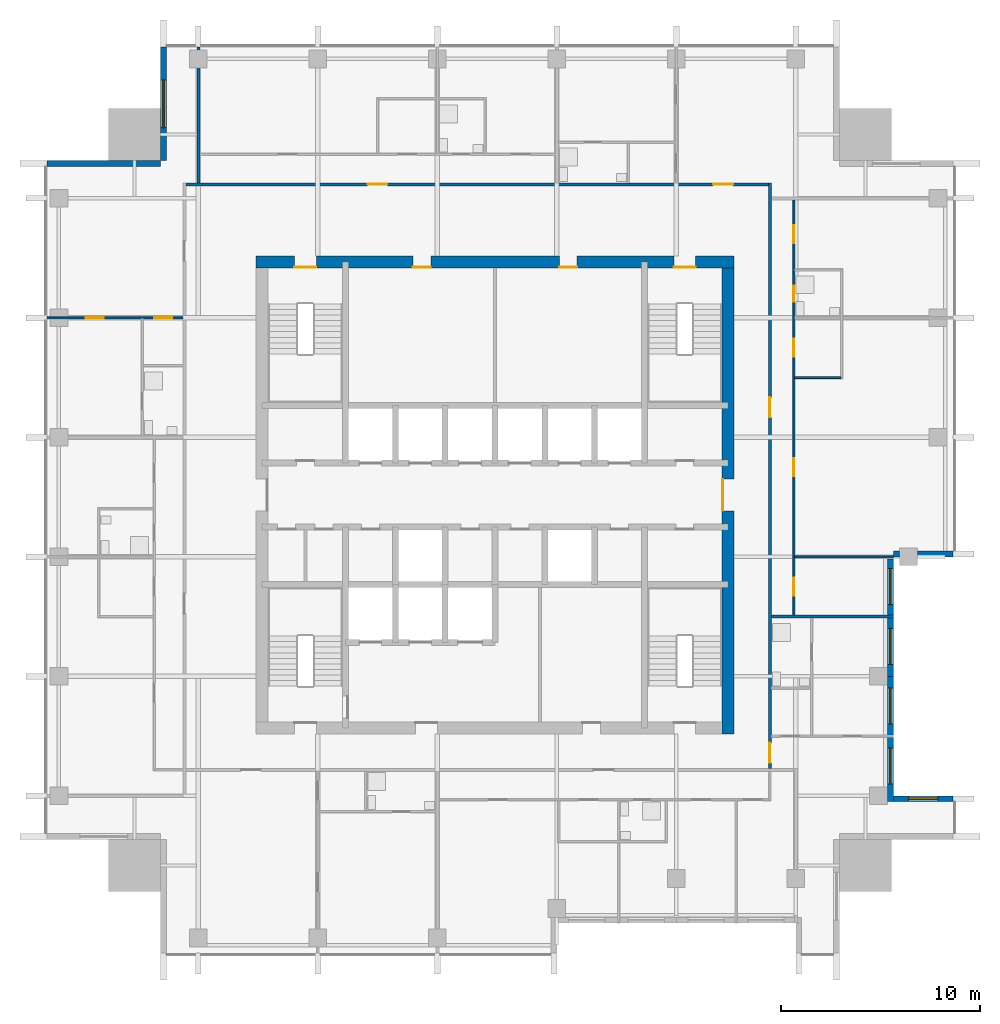
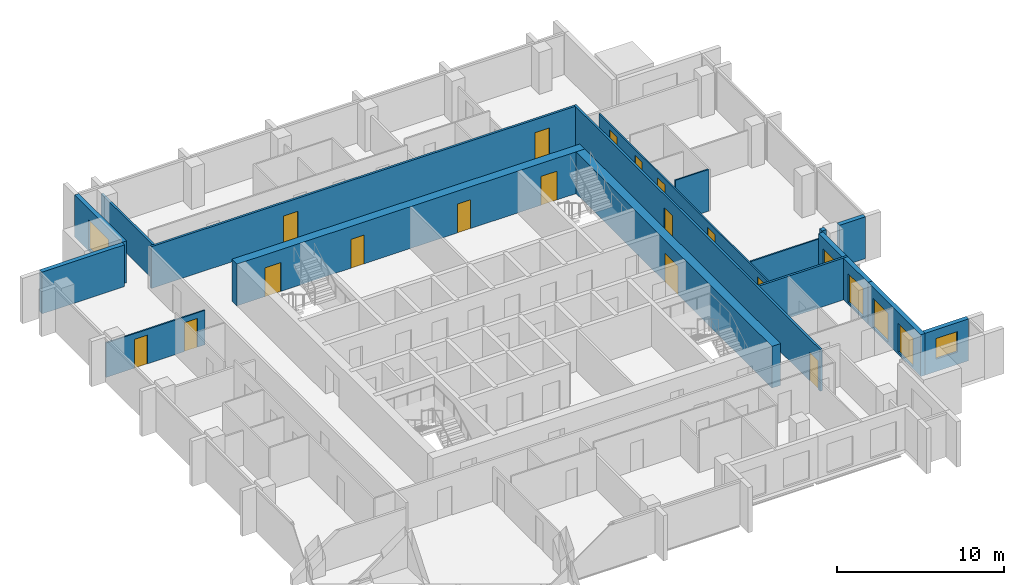
# One storey, part 6 of 9: 17 walls, 16 doors, 6 windows, 22 openings.
"""IFC4 building model written with IfcOpenShell, lengths in metres."""

from ifc_helpers import new_model, si_unit, direction, frame, frame_2d, origin, place, context, subcontext, project, spatial, rectangle, extrude, material, layer, layer_set, type_object, element, fill, save


model = new_model("IFC4")

# Units and contexts
model_context = context("Model", 3, precision=1e-05, world=origin(), true_north=direction((0.0, 1.0)))
body_context = subcontext(model_context, "Body", "Model", "MODEL_VIEW")
ifc_project = project(units=[si_unit("LENGTHUNIT", "METRE"), si_unit("AREAUNIT", "SQUARE_METRE"), si_unit("VOLUMEUNIT", "CUBIC_METRE"), si_unit("PLANEANGLEUNIT", "RADIAN"), si_unit("MASSUNIT", "GRAM", prefix="KILO")], contexts=[model_context])

# Site, building, storey
site_placement = place(None, origin())
site = spatial("IfcSite", under=ifc_project, at=site_placement, CompositionType="ELEMENT")
building_placement = place(site_placement, origin())
building = spatial("IfcBuilding", under=site, at=building_placement, Name="Amberfall Residences", CompositionType="ELEMENT")
storey_placement = place(building_placement, frame((0.0, 0.0, 210.10009765625)))
storey = spatial("IfcBuildingStorey", under=building, at=storey_placement, Name="L56", CompositionType="ELEMENT", Elevation=210.10009765625)

# Wall, opening, window
ifc_material_1 = material(Name="Pale stone cladding on insulated backing", Category="masonry")
ifc_layer_1 = layer(ifc_material_1, 0.300048828125)
ifc_layer_set_1 = layer_set([ifc_layer_1], Name="Bronze clad wall 300")
wall_type_1 = type_object("IfcWallType", Name="Bronze clad wall 300", PredefinedType="SOLIDWALL", material=ifc_layer_set_1)
wall_1_placement = place(storey_placement, frame((97.5, 30.25, 0.0), z_axis=(0.0, 0.0, 1.0), x_axis=(-1.0, 0.0, 0.0)))
wall_1 = element("IfcWall", 1, at=wall_1_placement, inside=storey, type_object=wall_type_1, Name="External wall L56 E", PredefinedType="SOLIDWALL", context=body_context, shape_type="SweptSolid", body=[
    extrude(rectangle(XDim=3.0, YDim=0.300048828125, at=frame_2d((1.5, 0.0))), origin(), (0.0, 0.0, 1.0), 3.0498046875),
])
opening_1_placement = place(wall_1_placement, frame((0.75, 0.0, 0.89990234375)))
opening_1 = element("IfcOpeningElement", 2, at=opening_1_placement, cuts=wall_1, Name="Opening WN1", PredefinedType="OPENING", context=body_context, shape_type="SweptSolid", body=[
    extrude(rectangle(XDim=1.5, YDim=1.5, at=frame_2d((0.75, 0.75))), frame((0.0, 0.159912109375, 0.0), z_axis=(0.0, -1.0, 0.0), x_axis=(1.0, 0.0, 0.0)), (0.0, 0.0, 1.0), 0.320068359375),
])
ifc_material_2 = material(Name="Bronze aluminium framed glazing", Category="aluminium")
window_type_1 = type_object("IfcWindowType", Name="Window 1500 x 1500 bronze", PartitioningType="DOUBLE_PANEL_VERTICAL", PredefinedType="WINDOW", material=ifc_material_2)
window_1_placement = place(opening_1_placement, origin())
window_1 = element("IfcWindow", 3, at=window_1_placement, inside=storey, type_object=window_type_1, Name="Window L56 E", OverallHeight=1.5, OverallWidth=1.5, PartitioningType="DOUBLE_PANEL_VERTICAL", PredefinedType="WINDOW", context=body_context, shape_type="SweptSolid", body=[
    extrude(rectangle(XDim=1.5, YDim=1.5, at=frame_2d((0.75, 0.75))), frame((0.0, 0.030029296875, 0.0), z_axis=(0.0, -1.0, 0.0), x_axis=(1.0, 0.0, 0.0)), (0.0, 0.0, 1.0), 0.06005859375),
])
fill(opening_1, window_1)

# Walls
wall_2_placement = place(storey_placement, frame((94.5, 42.550048828125, 0.0), z_axis=(0.0, 0.0, 1.0), x_axis=(1.0, 0.0, 0.0)))
element("IfcWall", 4, at=wall_2_placement, inside=storey, type_object=wall_type_1, Name="External wall L56 E", PredefinedType="SOLIDWALL", context=body_context, shape_type="SweptSolid", body=[
    extrude(rectangle(XDim=0.300048828125, YDim=0.300048828125, at=frame_2d((0.14990234375, 0.0))), origin(), (0.0, 0.0, 1.0), 3.0498046875),
])
wall_3_placement = place(storey_placement, frame((95.699951171875, 42.550048828125, 0.0), z_axis=(0.0, 0.0, 1.0), x_axis=(1.0, 0.0, 0.0)))
element("IfcWall", 5, at=wall_3_placement, inside=storey, type_object=wall_type_1, Name="External wall L56 E", PredefinedType="SOLIDWALL", context=body_context, shape_type="SweptSolid", body=[
    extrude(rectangle(XDim=1.800048828125, YDim=0.300048828125, at=frame_2d((0.89990234375, 0.0))), origin(), (0.0, 0.0, 1.0), 3.0498046875),
])

# Wall, opening, window
wall_4_placement = place(storey_placement, frame((57.85009765625, 68.0, 0.0), z_axis=(0.0, 0.0, 1.0), x_axis=(0.0, -1.0, 0.0)))
wall_4 = element("IfcWall", 6, at=wall_4_placement, inside=storey, type_object=wall_type_1, Name="External wall L56 NW", PredefinedType="SOLIDWALL", context=body_context, shape_type="SweptSolid", body=[
    extrude(rectangle(XDim=5.699951171875, YDim=0.300048828125, at=frame_2d((2.85009765625, 0.0))), origin(), (0.0, 0.0, 1.0), 3.0498046875),
])
opening_2_placement = place(wall_4_placement, frame((1.64990234375, 0.0, 0.14990234375)))
opening_2 = element("IfcOpeningElement", 7, at=opening_2_placement, cuts=wall_4, Name="Opening WN5", PredefinedType="OPENING", context=body_context, shape_type="SweptSolid", body=[
    extrude(rectangle(XDim=2.39990234375, YDim=2.10009765625, at=frame_2d((1.199951171875, 1.050048828125))), frame((0.0, 0.159912109375, 0.0), z_axis=(0.0, -1.0, 0.0), x_axis=(1.0, 0.0, 0.0)), (0.0, 0.0, 1.0), 0.320068359375),
])
window_type_2 = type_object("IfcWindowType", Name="Glazed opening 2400 x 2100 bronze", PartitioningType="DOUBLE_PANEL_VERTICAL", PredefinedType="WINDOW", material=ifc_material_2)
window_2_placement = place(opening_2_placement, origin())
window_2 = element("IfcWindow", 8, at=window_2_placement, inside=storey, type_object=window_type_2, Name="Window L56 NW", OverallHeight=2.10009765625, OverallWidth=2.39990234375, PartitioningType="DOUBLE_PANEL_VERTICAL", PredefinedType="WINDOW", context=body_context, shape_type="SweptSolid", body=[
    extrude(rectangle(XDim=2.39990234375, YDim=2.10009765625, at=frame_2d((1.199951171875, 1.050048828125))), frame((0.0, 0.030029296875, 0.0), z_axis=(0.0, -1.0, 0.0), x_axis=(1.0, 0.0, 0.0)), (0.0, 0.0, 1.0), 0.06005859375),
])
fill(opening_2, window_2)

# Wall
wall_5_placement = place(storey_placement, frame((57.699951171875, 62.14990234375, 0.0), z_axis=(0.0, 0.0, 1.0), x_axis=(-1.0, 0.0, 0.0)))
element("IfcWall", 9, at=wall_5_placement, inside=storey, type_object=wall_type_1, Name="External wall L56 NW", PredefinedType="SOLIDWALL", context=body_context, shape_type="SweptSolid", body=[
    extrude(rectangle(XDim=5.699951171875, YDim=0.300048828125, at=frame_2d((2.85009765625, 0.0))), origin(), (0.0, 0.0, 1.0), 3.0498046875),
])

# Wall, openings, windows
wall_6_placement = place(storey_placement, frame((94.35009765625, 30.10009765625, 0.0), z_axis=(0.0, 0.0, 1.0), x_axis=(0.0, 1.0, 0.0)))
wall_6 = element("IfcWall", 10, at=wall_6_placement, inside=storey, type_object=wall_type_1, Name="Stone wall L56 E", PredefinedType="SOLIDWALL", context=body_context, shape_type="SweptSolid", body=[
    extrude(rectangle(XDim=6.2998046875, YDim=0.300048828125, at=frame_2d((3.14990234375, 0.0))), origin(), (0.0, 0.0, 1.0), 3.0498046875),
])
opening_3_placement = place(wall_6_placement, frame((0.89990234375, 0.0, 0.14990234375)))
opening_3 = element("IfcOpeningElement", 11, at=opening_3_placement, cuts=wall_6, Name="Opening WN6", PredefinedType="OPENING", context=body_context, shape_type="SweptSolid", body=[
    extrude(rectangle(XDim=1.800048828125, YDim=2.10009765625, at=frame_2d((0.89990234375, 1.050048828125))), frame((0.0, 0.159912109375, 0.0), z_axis=(0.0, -1.0, 0.0), x_axis=(1.0, 0.0, 0.0)), (0.0, 0.0, 1.0), 0.320068359375),
])
opening_4_placement = place(wall_6_placement, frame((3.89990234375, 0.0, 0.14990234375)))
opening_4 = element("IfcOpeningElement", 12, at=opening_4_placement, cuts=wall_6, Name="Opening WN6", PredefinedType="OPENING", context=body_context, shape_type="SweptSolid", body=[
    extrude(rectangle(XDim=1.800048828125, YDim=2.10009765625, at=frame_2d((0.89990234375, 1.050048828125))), frame((0.0, 0.159912109375, 0.0), z_axis=(0.0, -1.0, 0.0), x_axis=(1.0, 0.0, 0.0)), (0.0, 0.0, 1.0), 0.320068359375),
])
window_type_3 = type_object("IfcWindowType", Name="Glazed opening 1800 x 2100 bronze", PartitioningType="DOUBLE_PANEL_VERTICAL", PredefinedType="WINDOW", material=ifc_material_2)
window_3_placement = place(opening_3_placement, origin())
window_3 = element("IfcWindow", 13, at=window_3_placement, inside=storey, type_object=window_type_3, Name="Window L56 E", OverallHeight=2.10009765625, OverallWidth=1.800048828125, PartitioningType="DOUBLE_PANEL_VERTICAL", PredefinedType="WINDOW", context=body_context, shape_type="SweptSolid", body=[
    extrude(rectangle(XDim=1.800048828125, YDim=2.10009765625, at=frame_2d((0.89990234375, 1.050048828125))), frame((0.0, 0.030029296875, 0.0), z_axis=(0.0, -1.0, 0.0), x_axis=(1.0, 0.0, 0.0)), (0.0, 0.0, 1.0), 0.06005859375),
])
fill(opening_3, window_3)
window_4_placement = place(opening_4_placement, origin())
window_4 = element("IfcWindow", 14, at=window_4_placement, inside=storey, type_object=window_type_3, Name="Window L56 E", OverallHeight=2.10009765625, OverallWidth=1.800048828125, PartitioningType="DOUBLE_PANEL_VERTICAL", PredefinedType="WINDOW", context=body_context, shape_type="SweptSolid", body=[
    extrude(rectangle(XDim=1.800048828125, YDim=2.10009765625, at=frame_2d((0.89990234375, 1.050048828125))), frame((0.0, 0.030029296875, 0.0), z_axis=(0.0, -1.0, 0.0), x_axis=(1.0, 0.0, 0.0)), (0.0, 0.0, 1.0), 0.06005859375),
])
fill(opening_4, window_4)

wall_7_placement = place(storey_placement, frame((94.35009765625, 36.39990234375, 0.0), z_axis=(0.0, 0.0, 1.0), x_axis=(0.0, 1.0, 0.0)))
wall_7 = element("IfcWall", 15, at=wall_7_placement, inside=storey, type_object=wall_type_1, Name="Stone wall L56 E", PredefinedType="SOLIDWALL", context=body_context, shape_type="SweptSolid", body=[
    extrude(rectangle(XDim=5.900146484375, YDim=0.300048828125, at=frame_2d((2.9501953125, 0.0))), origin(), (0.0, 0.0, 1.0), 3.0498046875),
])
opening_5_placement = place(wall_7_placement, frame((0.60009765625, 0.0, 0.14990234375)))
opening_5 = element("IfcOpeningElement", 16, at=opening_5_placement, cuts=wall_7, Name="Opening WN6", PredefinedType="OPENING", context=body_context, shape_type="SweptSolid", body=[
    extrude(rectangle(XDim=1.800048828125, YDim=2.10009765625, at=frame_2d((0.89990234375, 1.050048828125))), frame((0.0, 0.159912109375, 0.0), z_axis=(0.0, -1.0, 0.0), x_axis=(1.0, 0.0, 0.0)), (0.0, 0.0, 1.0), 0.320068359375),
])
opening_6_placement = place(wall_7_placement, frame((3.60009765625, 0.0, 0.14990234375)))
opening_6 = element("IfcOpeningElement", 17, at=opening_6_placement, cuts=wall_7, Name="Opening WN6", PredefinedType="OPENING", context=body_context, shape_type="SweptSolid", body=[
    extrude(rectangle(XDim=1.800048828125, YDim=2.10009765625, at=frame_2d((0.89990234375, 1.050048828125))), frame((0.0, 0.159912109375, 0.0), z_axis=(0.0, -1.0, 0.0), x_axis=(1.0, 0.0, 0.0)), (0.0, 0.0, 1.0), 0.320068359375),
])
window_5_placement = place(opening_5_placement, origin())
window_5 = element("IfcWindow", 18, at=window_5_placement, inside=storey, type_object=window_type_3, Name="Window L56 E", OverallHeight=2.10009765625, OverallWidth=1.800048828125, PartitioningType="DOUBLE_PANEL_VERTICAL", PredefinedType="WINDOW", context=body_context, shape_type="SweptSolid", body=[
    extrude(rectangle(XDim=1.800048828125, YDim=2.10009765625, at=frame_2d((0.89990234375, 1.050048828125))), frame((0.0, 0.030029296875, 0.0), z_axis=(0.0, -1.0, 0.0), x_axis=(1.0, 0.0, 0.0)), (0.0, 0.0, 1.0), 0.06005859375),
])
fill(opening_5, window_5)
window_6_placement = place(opening_6_placement, origin())
window_6 = element("IfcWindow", 19, at=window_6_placement, inside=storey, type_object=window_type_3, Name="Window L56 E", OverallHeight=2.10009765625, OverallWidth=1.800048828125, PartitioningType="DOUBLE_PANEL_VERTICAL", PredefinedType="WINDOW", context=body_context, shape_type="SweptSolid", body=[
    extrude(rectangle(XDim=1.800048828125, YDim=2.10009765625, at=frame_2d((0.89990234375, 1.050048828125))), frame((0.0, 0.030029296875, 0.0), z_axis=(0.0, -1.0, 0.0), x_axis=(1.0, 0.0, 0.0)), (0.0, 0.0, 1.0), 0.06005859375),
])
fill(opening_6, window_6)

# Wall, openings, doors
ifc_material_3 = material(Name="Concrete C55", Category="concrete")
ifc_layer_2 = layer(ifc_material_3, 0.60009765625)
ifc_layer_set_2 = layer_set([ifc_layer_2], Name="Core wall 600 C55")
wall_type_2 = type_object("IfcWallType", Name="Core wall 600 C55", PredefinedType="SHEAR", material=ifc_layer_set_2)
wall_8_placement = place(storey_placement, frame((62.5, 57.199951171875, 0.0), z_axis=(0.0, 0.0, 1.0), x_axis=(1.0, 0.0, 0.0)))
wall_8 = element("IfcWall", 20, at=wall_8_placement, inside=storey, type_object=wall_type_2, Name="Core wall RW7 L56 ON", PredefinedType="SHEAR", context=body_context, shape_type="SweptSolid", body=[
    extrude(rectangle(XDim=24.0, YDim=0.60009765625, at=frame_2d((12.0, 0.0))), origin(), (0.0, 0.0, 1.0), 3.0498046875),
])
opening_7_placement = place(wall_8_placement, frame((20.97509765625, 0.0, 0.0)))
opening_7 = element("IfcOpeningElement", 21, at=opening_7_placement, cuts=wall_8, Name="Opening SD1", PredefinedType="OPENING", context=body_context, shape_type="SweptSolid", body=[
    extrude(rectangle(XDim=1.10009765625, YDim=2.10009765625, at=frame_2d((0.550048828125, 1.050048828125))), frame((0.0, 0.31005859375, 0.0), z_axis=(0.0, -1.0, 0.0), x_axis=(1.0, 0.0, 0.0)), (0.0, 0.0, 1.0), 0.6201171875),
])
opening_8_placement = place(wall_8_placement, frame((1.925048828125, 0.0, 0.0)))
opening_8 = element("IfcOpeningElement", 22, at=opening_8_placement, cuts=wall_8, Name="Opening SD1", PredefinedType="OPENING", context=body_context, shape_type="SweptSolid", body=[
    extrude(rectangle(XDim=1.10009765625, YDim=2.10009765625, at=frame_2d((0.550048828125, 1.050048828125))), frame((0.0, 0.31005859375, 0.0), z_axis=(0.0, -1.0, 0.0), x_axis=(1.0, 0.0, 0.0)), (0.0, 0.0, 1.0), 0.6201171875),
])
opening_9_placement = place(wall_8_placement, frame((7.875, 0.0, 0.0)))
opening_9 = element("IfcOpeningElement", 23, at=opening_9_placement, cuts=wall_8, Name="Opening RD1", PredefinedType="OPENING", context=body_context, shape_type="SweptSolid", body=[
    extrude(rectangle(XDim=0.89990234375, YDim=2.10009765625, at=frame_2d((0.449951171875, 1.050048828125))), frame((0.0, 0.31005859375, 0.0), z_axis=(0.0, -1.0, 0.0), x_axis=(1.0, 0.0, 0.0)), (0.0, 0.0, 1.0), 0.6201171875),
])
opening_10_placement = place(wall_8_placement, frame((15.22509765625, 0.0, 0.0)))
opening_10 = element("IfcOpeningElement", 24, at=opening_10_placement, cuts=wall_8, Name="Opening RD1", PredefinedType="OPENING", context=body_context, shape_type="SweptSolid", body=[
    extrude(rectangle(XDim=0.89990234375, YDim=2.10009765625, at=frame_2d((0.449951171875, 1.050048828125))), frame((0.0, 0.31005859375, 0.0), z_axis=(0.0, -1.0, 0.0), x_axis=(1.0, 0.0, 0.0)), (0.0, 0.0, 1.0), 0.6201171875),
])
ifc_material_4 = material(Name="Steel fire door set", Category="steel")
door_type_1 = type_object("IfcDoorType", Name="Service room door 900 x 2100", OperationType="SINGLE_SWING_LEFT", PredefinedType="DOOR", material=ifc_material_4)
door_1_placement = place(opening_9_placement, origin())
door_1 = element("IfcDoor", 25, at=door_1_placement, inside=storey, type_object=door_type_1, Name="RD1 L56", OperationType="SINGLE_SWING_RIGHT", OverallHeight=2.10009765625, OverallWidth=0.89990234375, PredefinedType="DOOR", context=body_context, shape_type="SweptSolid", body=[
    extrude(rectangle(XDim=0.89990234375, YDim=2.10009765625, at=frame_2d((0.449951171875, 1.050048828125))), frame((0.0, -0.2373046875, 0.0), z_axis=(0.0, -1.0, 0.0), x_axis=(1.0, 0.0, 0.0)), (0.0, 0.0, 1.0), 0.050048828125),
])
fill(opening_9, door_1)
door_2_placement = place(opening_10_placement, origin())
door_2 = element("IfcDoor", 26, at=door_2_placement, inside=storey, type_object=door_type_1, Name="RD1 L56", OperationType="SINGLE_SWING_RIGHT", OverallHeight=2.10009765625, OverallWidth=0.89990234375, PredefinedType="DOOR", context=body_context, shape_type="SweptSolid", body=[
    extrude(rectangle(XDim=0.89990234375, YDim=2.10009765625, at=frame_2d((0.449951171875, 1.050048828125))), frame((0.0, -0.2373046875, 0.0), z_axis=(0.0, -1.0, 0.0), x_axis=(1.0, 0.0, 0.0)), (0.0, 0.0, 1.0), 0.050048828125),
])
fill(opening_10, door_2)
door_type_2 = type_object("IfcDoorType", Name="Stair door 1100 x 2100", OperationType="SINGLE_SWING_LEFT", PredefinedType="DOOR", material=ifc_material_4)
door_3_placement = place(opening_7_placement, origin())
door_3 = element("IfcDoor", 27, at=door_3_placement, inside=storey, type_object=door_type_2, Name="SD1 L56", OperationType="SINGLE_SWING_RIGHT", OverallHeight=2.10009765625, OverallWidth=1.10009765625, PredefinedType="DOOR", context=body_context, shape_type="SweptSolid", body=[
    extrude(rectangle(XDim=1.10009765625, YDim=2.10009765625, at=frame_2d((0.550048828125, 1.050048828125))), frame((0.0, -0.2373046875, 0.0), z_axis=(0.0, -1.0, 0.0), x_axis=(1.0, 0.0, 0.0)), (0.0, 0.0, 1.0), 0.050048828125),
])
fill(opening_7, door_3)
door_4_placement = place(opening_8_placement, origin())
door_4 = element("IfcDoor", 28, at=door_4_placement, inside=storey, type_object=door_type_2, Name="SD1 L56", OperationType="SINGLE_SWING_LEFT", OverallHeight=2.10009765625, OverallWidth=1.10009765625, PredefinedType="DOOR", context=body_context, shape_type="SweptSolid", body=[
    extrude(rectangle(XDim=1.10009765625, YDim=2.10009765625, at=frame_2d((0.550048828125, 1.050048828125))), frame((0.0, -0.2373046875, 0.0), z_axis=(0.0, -1.0, 0.0), x_axis=(1.0, 0.0, 0.0)), (0.0, 0.0, 1.0), 0.050048828125),
])
fill(opening_8, door_4)

# Wall, opening, door
wall_9_placement = place(storey_placement, frame((86.199951171875, 33.5, 0.0), z_axis=(0.0, 0.0, 1.0), x_axis=(0.0, 1.0, 0.0)))
wall_9 = element("IfcWall", 29, at=wall_9_placement, inside=storey, type_object=wall_type_2, Name="Core wall RW7 L56 OE", PredefinedType="SHEAR", context=body_context, shape_type="SweptSolid", body=[
    extrude(rectangle(XDim=24.0, YDim=0.60009765625, at=frame_2d((12.0, 0.0))), origin(), (0.0, 0.0, 1.0), 3.0498046875),
])
opening_11_placement = place(wall_9_placement, frame((11.199951171875, 0.0, 0.0)))
opening_11 = element("IfcOpeningElement", 30, at=opening_11_placement, cuts=wall_9, Name="Opening LB1", PredefinedType="OPENING", context=body_context, shape_type="SweptSolid", body=[
    extrude(rectangle(XDim=1.60009765625, YDim=2.10009765625, at=frame_2d((0.800048828125, 1.050048828125))), frame((0.0, 0.31005859375, 0.0), z_axis=(0.0, -1.0, 0.0), x_axis=(1.0, 0.0, 0.0)), (0.0, 0.0, 1.0), 0.6201171875),
])
door_type_3 = type_object("IfcDoorType", Name="Lift lobby double door 1600 x 2100", OperationType="DOUBLE_DOOR_SINGLE_SWING", PredefinedType="DOOR", material=ifc_material_4)
door_5_placement = place(opening_11_placement, origin())
door_5 = element("IfcDoor", 31, at=door_5_placement, inside=storey, type_object=door_type_3, Name="LB1 L56", OperationType="DOUBLE_DOOR_SINGLE_SWING", OverallHeight=2.10009765625, OverallWidth=1.60009765625, PredefinedType="DOOR", context=body_context, shape_type="SweptSolid", body=[
    extrude(rectangle(XDim=1.60009765625, YDim=2.10009765625, at=frame_2d((0.800048828125, 1.050048828125))), frame((0.0, 0.28759765625, 0.0), z_axis=(0.0, -1.0, 0.0), x_axis=(1.0, 0.0, 0.0)), (0.0, 0.0, 1.0), 0.050048828125),
])
fill(opening_11, door_5)

# Wall, openings, doors
ifc_material_5 = material(Name="Gypsum board on metal stud")
ifc_layer_3 = layer(ifc_material_5, 0.10009765625)
ifc_layer_set_3 = layer_set([ifc_layer_3], Name="Flat partition 100")
wall_type_3 = type_object("IfcWallType", Name="Flat partition 100", PredefinedType="PARTITIONING", material=ifc_layer_set_3)
wall_10_placement = place(storey_placement, frame((89.5, 60.324951171875, 0.0), z_axis=(0.0, 0.0, 1.0), x_axis=(0.0, -1.0, 0.0)))
wall_10 = element("IfcWall", 32, at=wall_10_placement, inside=storey, type_object=wall_type_3, Name="Partition 016", PredefinedType="PARTITIONING", context=body_context, shape_type="SweptSolid", body=[
    extrude(rectangle(XDim=20.849853515625, YDim=0.10009765625, at=frame_2d((10.4248046875, 0.0))), origin(), (0.0, 0.0, 1.0), 2.510009765625),
])
opening_12_placement = place(wall_10_placement, frame((12.97509765625, 0.0, 0.0)))
opening_12 = element("IfcOpeningElement", 33, at=opening_12_placement, cuts=wall_10, Name="Opening D41", PredefinedType="OPENING", context=body_context, shape_type="SweptSolid", body=[
    extrude(rectangle(XDim=0.89990234375, YDim=2.10009765625, at=frame_2d((0.449951171875, 1.050048828125))), frame((0.0, 0.06005859375, 0.0), z_axis=(0.0, -1.0, 0.0), x_axis=(1.0, 0.0, 0.0)), (0.0, 0.0, 1.0), 0.1201171875),
])
opening_13_placement = place(wall_10_placement, frame((6.97509765625, 0.0, 0.0)))
opening_13 = element("IfcOpeningElement", 34, at=opening_13_placement, cuts=wall_10, Name="Opening D41", PredefinedType="OPENING", context=body_context, shape_type="SweptSolid", body=[
    extrude(rectangle(XDim=0.89990234375, YDim=2.10009765625, at=frame_2d((0.449951171875, 1.050048828125))), frame((0.0, 0.06005859375, 0.0), z_axis=(0.0, -1.0, 0.0), x_axis=(1.0, 0.0, 0.0)), (0.0, 0.0, 1.0), 0.1201171875),
])
opening_14_placement = place(wall_10_placement, frame((18.97509765625, 0.0, 0.0)))
opening_14 = element("IfcOpeningElement", 35, at=opening_14_placement, cuts=wall_10, Name="Opening D41", PredefinedType="OPENING", context=body_context, shape_type="SweptSolid", body=[
    extrude(rectangle(XDim=0.89990234375, YDim=2.10009765625, at=frame_2d((0.449951171875, 1.050048828125))), frame((0.0, 0.06005859375, 0.0), z_axis=(0.0, -1.0, 0.0), x_axis=(1.0, 0.0, 0.0)), (0.0, 0.0, 1.0), 0.1201171875),
])
opening_15_placement = place(wall_10_placement, frame((1.27490234375, 0.0, 0.0)))
opening_15 = element("IfcOpeningElement", 36, at=opening_15_placement, cuts=wall_10, Name="Opening D41", PredefinedType="OPENING", context=body_context, shape_type="SweptSolid", body=[
    extrude(rectangle(XDim=0.89990234375, YDim=2.10009765625, at=frame_2d((0.449951171875, 1.050048828125))), frame((0.0, 0.06005859375, 0.0), z_axis=(0.0, -1.0, 0.0), x_axis=(1.0, 0.0, 0.0)), (0.0, 0.0, 1.0), 0.1201171875),
])
opening_16_placement = place(wall_10_placement, frame((4.324951171875, 0.0, 0.0)))
opening_16 = element("IfcOpeningElement", 37, at=opening_16_placement, cuts=wall_10, Name="Opening D42", PredefinedType="OPENING", context=body_context, shape_type="SweptSolid", body=[
    extrude(rectangle(XDim=0.800048828125, YDim=2.10009765625, at=frame_2d((0.39990234375, 1.050048828125))), frame((0.0, 0.06005859375, 0.0), z_axis=(0.0, -1.0, 0.0), x_axis=(1.0, 0.0, 0.0)), (0.0, 0.0, 1.0), 0.1201171875),
])
ifc_material_6 = material(Name="Timber", Category="wood")
door_type_4 = type_object("IfcDoorType", Name="Bathroom door 800 x 2100", OperationType="SINGLE_SWING_LEFT", PredefinedType="DOOR", material=ifc_material_6)
door_6_placement = place(opening_16_placement, origin())
door_6 = element("IfcDoor", 38, at=door_6_placement, inside=storey, type_object=door_type_4, Name="Door 5604 bath1", OperationType="SINGLE_SWING_LEFT", OverallHeight=2.10009765625, OverallWidth=0.800048828125, PredefinedType="DOOR", context=body_context, shape_type="SweptSolid", body=[
    extrude(rectangle(XDim=0.800048828125, YDim=2.10009765625, at=frame_2d((0.39990234375, 1.050048828125))), frame((0.0, 0.02490234375, 0.0), z_axis=(0.0, -1.0, 0.0), x_axis=(1.0, 0.0, 0.0)), (0.0, 0.0, 1.0), 0.050048828125),
])
fill(opening_16, door_6)
door_type_5 = type_object("IfcDoorType", Name="Internal door 900 x 2100", OperationType="SINGLE_SWING_LEFT", PredefinedType="DOOR", material=ifc_material_6)
door_7_placement = place(opening_12_placement, origin())
door_7 = element("IfcDoor", 39, at=door_7_placement, inside=storey, type_object=door_type_5, Name="Door 5604 living", OperationType="SINGLE_SWING_LEFT", OverallHeight=2.10009765625, OverallWidth=0.89990234375, PredefinedType="DOOR", context=body_context, shape_type="SweptSolid", body=[
    extrude(rectangle(XDim=0.89990234375, YDim=2.10009765625, at=frame_2d((0.449951171875, 1.050048828125))), frame((0.0, 0.02490234375, 0.0), z_axis=(0.0, -1.0, 0.0), x_axis=(1.0, 0.0, 0.0)), (0.0, 0.0, 1.0), 0.050048828125),
])
fill(opening_12, door_7)
door_8_placement = place(opening_13_placement, origin())
door_8 = element("IfcDoor", 40, at=door_8_placement, inside=storey, type_object=door_type_5, Name="Door 5604 kitchen", OperationType="SINGLE_SWING_LEFT", OverallHeight=2.10009765625, OverallWidth=0.89990234375, PredefinedType="DOOR", context=body_context, shape_type="SweptSolid", body=[
    extrude(rectangle(XDim=0.89990234375, YDim=2.10009765625, at=frame_2d((0.449951171875, 1.050048828125))), frame((0.0, 0.02490234375, 0.0), z_axis=(0.0, -1.0, 0.0), x_axis=(1.0, 0.0, 0.0)), (0.0, 0.0, 1.0), 0.050048828125),
])
fill(opening_13, door_8)
door_9_placement = place(opening_14_placement, origin())
door_9 = element("IfcDoor", 41, at=door_9_placement, inside=storey, type_object=door_type_5, Name="Door 5604 bedroom1", OperationType="SINGLE_SWING_LEFT", OverallHeight=2.10009765625, OverallWidth=0.89990234375, PredefinedType="DOOR", context=body_context, shape_type="SweptSolid", body=[
    extrude(rectangle(XDim=0.89990234375, YDim=2.10009765625, at=frame_2d((0.449951171875, 1.050048828125))), frame((0.0, 0.02490234375, 0.0), z_axis=(0.0, -1.0, 0.0), x_axis=(1.0, 0.0, 0.0)), (0.0, 0.0, 1.0), 0.050048828125),
])
fill(opening_14, door_9)
door_10_placement = place(opening_15_placement, origin())
door_10 = element("IfcDoor", 42, at=door_10_placement, inside=storey, type_object=door_type_5, Name="Door 5604 bedroom2", OperationType="SINGLE_SWING_LEFT", OverallHeight=2.10009765625, OverallWidth=0.89990234375, PredefinedType="DOOR", context=body_context, shape_type="SweptSolid", body=[
    extrude(rectangle(XDim=0.89990234375, YDim=2.10009765625, at=frame_2d((0.449951171875, 1.050048828125))), frame((0.0, 0.02490234375, 0.0), z_axis=(0.0, -1.0, 0.0), x_axis=(1.0, 0.0, 0.0)), (0.0, 0.0, 1.0), 0.050048828125),
])
fill(opening_15, door_10)

wall_11_placement = place(storey_placement, frame((58.824951171875, 54.39990234375, 0.0), z_axis=(0.0, 0.0, 1.0), x_axis=(-1.0, 0.0, 0.0)))
wall_11 = element("IfcWall", 43, at=wall_11_placement, inside=storey, type_object=wall_type_3, Name="Partition 023", PredefinedType="PARTITIONING", context=body_context, shape_type="SweptSolid", body=[
    extrude(rectangle(XDim=6.824951171875, YDim=0.10009765625, at=frame_2d((3.41259765625, 0.0))), origin(), (0.0, 0.0, 1.0), 2.515869140625),
])
opening_17_placement = place(wall_11_placement, frame((0.52490234375, 0.0, 0.0)))
opening_17 = element("IfcOpeningElement", 44, at=opening_17_placement, cuts=wall_11, Name="Opening D41", PredefinedType="OPENING", context=body_context, shape_type="SweptSolid", body=[
    extrude(rectangle(XDim=0.89990234375, YDim=2.10009765625, at=frame_2d((0.449951171875, 1.050048828125))), frame((0.0, 0.06005859375, 0.0), z_axis=(0.0, -1.0, 0.0), x_axis=(1.0, 0.0, 0.0)), (0.0, 0.0, 1.0), 0.1201171875),
])
opening_18_placement = place(wall_11_placement, frame((3.97509765625, 0.0, 0.0)))
opening_18 = element("IfcOpeningElement", 45, at=opening_18_placement, cuts=wall_11, Name="Opening D41", PredefinedType="OPENING", context=body_context, shape_type="SweptSolid", body=[
    extrude(rectangle(XDim=0.89990234375, YDim=2.10009765625, at=frame_2d((0.449951171875, 1.050048828125))), frame((0.0, 0.06005859375, 0.0), z_axis=(0.0, -1.0, 0.0), x_axis=(1.0, 0.0, 0.0)), (0.0, 0.0, 1.0), 0.1201171875),
])
door_11_placement = place(opening_17_placement, origin())
door_11 = element("IfcDoor", 46, at=door_11_placement, inside=storey, type_object=door_type_5, Name="Door 5608 kitchen", OperationType="SINGLE_SWING_LEFT", OverallHeight=2.10009765625, OverallWidth=0.89990234375, PredefinedType="DOOR", context=body_context, shape_type="SweptSolid", body=[
    extrude(rectangle(XDim=0.89990234375, YDim=2.10009765625, at=frame_2d((0.449951171875, 1.050048828125))), frame((0.0, 0.02490234375, 0.0), z_axis=(0.0, -1.0, 0.0), x_axis=(1.0, 0.0, 0.0)), (0.0, 0.0, 1.0), 0.050048828125),
])
fill(opening_17, door_11)
door_12_placement = place(opening_18_placement, origin())
door_12 = element("IfcDoor", 47, at=door_12_placement, inside=storey, type_object=door_type_5, Name="Door 5608 bedroom1", OperationType="SINGLE_SWING_LEFT", OverallHeight=2.10009765625, OverallWidth=0.89990234375, PredefinedType="DOOR", context=body_context, shape_type="SweptSolid", body=[
    extrude(rectangle(XDim=0.89990234375, YDim=2.10009765625, at=frame_2d((0.449951171875, 1.050048828125))), frame((0.0, 0.02490234375, 0.0), z_axis=(0.0, -1.0, 0.0), x_axis=(1.0, 0.0, 0.0)), (0.0, 0.0, 1.0), 0.050048828125),
])
fill(opening_18, door_12)

# Walls
wall_12_placement = place(storey_placement, frame((89.550048828125, 51.39990234375, 0.0), z_axis=(0.0, 0.0, 1.0), x_axis=(1.0, 0.0, 0.0)))
element("IfcWall", 48, at=wall_12_placement, inside=storey, type_object=wall_type_3, Name="Partition 026", PredefinedType="PARTITIONING", context=body_context, shape_type="SweptSolid", body=[
    extrude(rectangle(XDim=2.300048828125, YDim=0.10009765625, at=frame_2d((1.14990234375, 0.0))), origin(), (0.0, 0.0, 1.0), 3.0498046875),
])
wall_13_placement = place(storey_placement, frame((89.550048828125, 42.39990234375, 0.0), z_axis=(0.0, 0.0, 1.0), x_axis=(1.0, 0.0, 0.0)))
element("IfcWall", 49, at=wall_13_placement, inside=storey, type_object=wall_type_3, Name="Partition 029", PredefinedType="PARTITIONING", context=body_context, shape_type="SweptSolid", body=[
    extrude(rectangle(XDim=4.949951171875, YDim=0.10009765625, at=frame_2d((2.47509765625, 0.0))), origin(), (0.0, 0.0, 1.0), 2.58984375),
])
ifc_material_7 = material(Name="Blockwork, plastered", Category="masonry")
ifc_layer_4 = layer(ifc_material_7, 0.14990234375)
ifc_layer_set_4 = layer_set([ifc_layer_4], Name="Flat separating wall 150")
wall_type_4 = type_object("IfcWallType", Name="Flat separating wall 150", PredefinedType="PARTITIONING", material=ifc_layer_set_4)
wall_14_placement = place(storey_placement, frame((59.60009765625, 61.175048828125, 0.0), z_axis=(0.0, 0.0, 1.0), x_axis=(0.0, 1.0, 0.0)))
element("IfcWall", 50, at=wall_14_placement, inside=storey, type_object=wall_type_4, Name="Separating wall 038", PredefinedType="PARTITIONING", context=body_context, shape_type="SweptSolid", body=[
    extrude(rectangle(XDim=6.824951171875, YDim=0.14990234375, at=frame_2d((3.41259765625, 0.0))), origin(), (0.0, 0.0, 1.0), 2.510009765625),
])

# Wall, openings, doors
wall_15_placement = place(storey_placement, frame((88.300048828125, 61.175048828125, 0.0), z_axis=(0.0, 0.0, 1.0), x_axis=(0.0, -1.0, 0.0)))
wall_15 = element("IfcWall", 51, at=wall_15_placement, inside=storey, type_object=wall_type_4, Name="Separating wall 041", PredefinedType="PARTITIONING", context=body_context, shape_type="SweptSolid", body=[
    extrude(rectangle(XDim=29.400146484375, YDim=0.14990234375, at=frame_2d((14.7001953125, 0.0))), origin(), (0.0, 0.0, 1.0), 3.0498046875),
])
opening_19_placement = place(wall_15_placement, frame((28.125, 0.0, 0.0)))
opening_19 = element("IfcOpeningElement", 52, at=opening_19_placement, cuts=wall_15, Name="Opening D40", PredefinedType="OPENING", context=body_context, shape_type="SweptSolid", body=[
    extrude(rectangle(XDim=1.0, YDim=2.10009765625, at=frame_2d((0.5, 1.050048828125))), frame((0.0, 0.0849609375, 0.0), z_axis=(0.0, -1.0, 0.0), x_axis=(1.0, 0.0, 0.0)), (0.0, 0.0, 1.0), 0.169921875),
])
opening_20_placement = place(wall_15_placement, frame((10.77490234375, 0.0, 0.0)))
opening_20 = element("IfcOpeningElement", 53, at=opening_20_placement, cuts=wall_15, Name="Opening D40", PredefinedType="OPENING", context=body_context, shape_type="SweptSolid", body=[
    extrude(rectangle(XDim=1.0, YDim=2.10009765625, at=frame_2d((0.5, 1.050048828125))), frame((0.0, 0.0849609375, 0.0), z_axis=(0.0, -1.0, 0.0), x_axis=(1.0, 0.0, 0.0)), (0.0, 0.0, 1.0), 0.169921875),
])
ifc_material_8 = material(Name="Timber, fire-rated", Category="wood")
door_type_6 = type_object("IfcDoorType", Name="Flat entrance door FD60 1000 x 2100", OperationType="SINGLE_SWING_LEFT", PredefinedType="DOOR", material=ifc_material_8)
door_13_placement = place(opening_19_placement, origin())
door_13 = element("IfcDoor", 54, at=door_13_placement, inside=storey, type_object=door_type_6, Name="Door 5603 entrance", OperationType="SINGLE_SWING_LEFT", OverallHeight=2.10009765625, OverallWidth=1.0, PredefinedType="DOOR", context=body_context, shape_type="SweptSolid", body=[
    extrude(rectangle(XDim=1.0, YDim=2.10009765625, at=frame_2d((0.5, 1.050048828125))), frame((0.0, 0.02490234375, 0.0), z_axis=(0.0, -1.0, 0.0), x_axis=(1.0, 0.0, 0.0)), (0.0, 0.0, 1.0), 0.050048828125),
])
fill(opening_19, door_13)
door_14_placement = place(opening_20_placement, origin())
door_14 = element("IfcDoor", 55, at=door_14_placement, inside=storey, type_object=door_type_6, Name="Door 5604 entrance", OperationType="SINGLE_SWING_LEFT", OverallHeight=2.10009765625, OverallWidth=1.0, PredefinedType="DOOR", context=body_context, shape_type="SweptSolid", body=[
    extrude(rectangle(XDim=1.0, YDim=2.10009765625, at=frame_2d((0.5, 1.050048828125))), frame((0.0, 0.02490234375, 0.0), z_axis=(0.0, -1.0, 0.0), x_axis=(1.0, 0.0, 0.0)), (0.0, 0.0, 1.0), 0.050048828125),
])
fill(opening_20, door_14)

wall_16_placement = place(storey_placement, frame((58.97509765625, 61.10009765625, 0.0), z_axis=(0.0, 0.0, 1.0), x_axis=(1.0, 0.0, 0.0)))
wall_16 = element("IfcWall", 56, at=wall_16_placement, inside=storey, type_object=wall_type_4, Name="Separating wall 043", PredefinedType="PARTITIONING", context=body_context, shape_type="SweptSolid", body=[
    extrude(rectangle(XDim=29.25, YDim=0.14990234375, at=frame_2d((14.625, 0.0))), origin(), (0.0, 0.0, 1.0), 3.0498046875),
])
opening_21_placement = place(wall_16_placement, frame((9.125, 0.0, 0.0)))
opening_21 = element("IfcOpeningElement", 57, at=opening_21_placement, cuts=wall_16, Name="Opening D40", PredefinedType="OPENING", context=body_context, shape_type="SweptSolid", body=[
    extrude(rectangle(XDim=1.0, YDim=2.10009765625, at=frame_2d((0.5, 1.050048828125))), frame((0.0, 0.0849609375, 0.0), z_axis=(0.0, -1.0, 0.0), x_axis=(1.0, 0.0, 0.0)), (0.0, 0.0, 1.0), 0.169921875),
])
opening_22_placement = place(wall_16_placement, frame((26.47509765625, 0.0, 0.0)))
opening_22 = element("IfcOpeningElement", 58, at=opening_22_placement, cuts=wall_16, Name="Opening D40", PredefinedType="OPENING", context=body_context, shape_type="SweptSolid", body=[
    extrude(rectangle(XDim=1.0, YDim=2.10009765625, at=frame_2d((0.5, 1.050048828125))), frame((0.0, 0.0849609375, 0.0), z_axis=(0.0, -1.0, 0.0), x_axis=(1.0, 0.0, 0.0)), (0.0, 0.0, 1.0), 0.169921875),
])
door_15_placement = place(opening_21_placement, origin())
door_15 = element("IfcDoor", 59, at=door_15_placement, inside=storey, type_object=door_type_6, Name="Door 5605 entrance", OperationType="SINGLE_SWING_LEFT", OverallHeight=2.10009765625, OverallWidth=1.0, PredefinedType="DOOR", context=body_context, shape_type="SweptSolid", body=[
    extrude(rectangle(XDim=1.0, YDim=2.10009765625, at=frame_2d((0.5, 1.050048828125))), frame((0.0, 0.02490234375, 0.0), z_axis=(0.0, -1.0, 0.0), x_axis=(1.0, 0.0, 0.0)), (0.0, 0.0, 1.0), 0.050048828125),
])
fill(opening_21, door_15)
door_16_placement = place(opening_22_placement, origin())
door_16 = element("IfcDoor", 60, at=door_16_placement, inside=storey, type_object=door_type_6, Name="Door 5606 entrance", OperationType="SINGLE_SWING_LEFT", OverallHeight=2.10009765625, OverallWidth=1.0, PredefinedType="DOOR", context=body_context, shape_type="SweptSolid", body=[
    extrude(rectangle(XDim=1.0, YDim=2.10009765625, at=frame_2d((0.5, 1.050048828125))), frame((0.0, 0.02490234375, 0.0), z_axis=(0.0, -1.0, 0.0), x_axis=(1.0, 0.0, 0.0)), (0.0, 0.0, 1.0), 0.050048828125),
])
fill(opening_22, door_16)

# Wall
wall_17_placement = place(storey_placement, frame((88.375, 39.39990234375, 0.0), z_axis=(0.0, 0.0, 1.0), x_axis=(1.0, 0.0, 0.0)))
element("IfcWall", 61, at=wall_17_placement, inside=storey, type_object=wall_type_4, Name="Separating wall 046", PredefinedType="PARTITIONING", context=body_context, shape_type="SweptSolid", body=[
    extrude(rectangle(XDim=6.125, YDim=0.14990234375, at=frame_2d((3.0625, 0.0))), origin(), (0.0, 0.0, 1.0), 3.0498046875),
])

save(model, "model.ifc")
